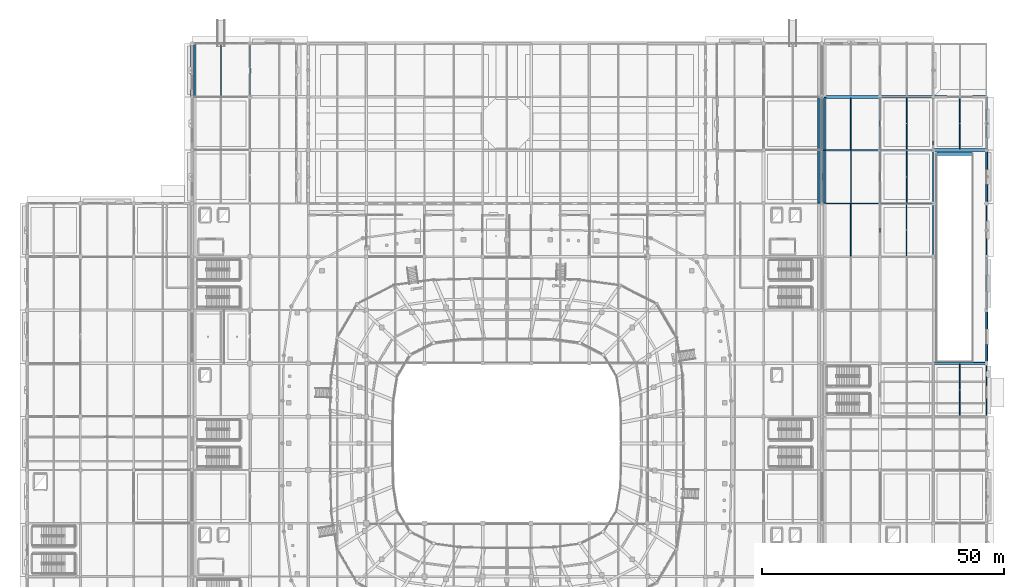
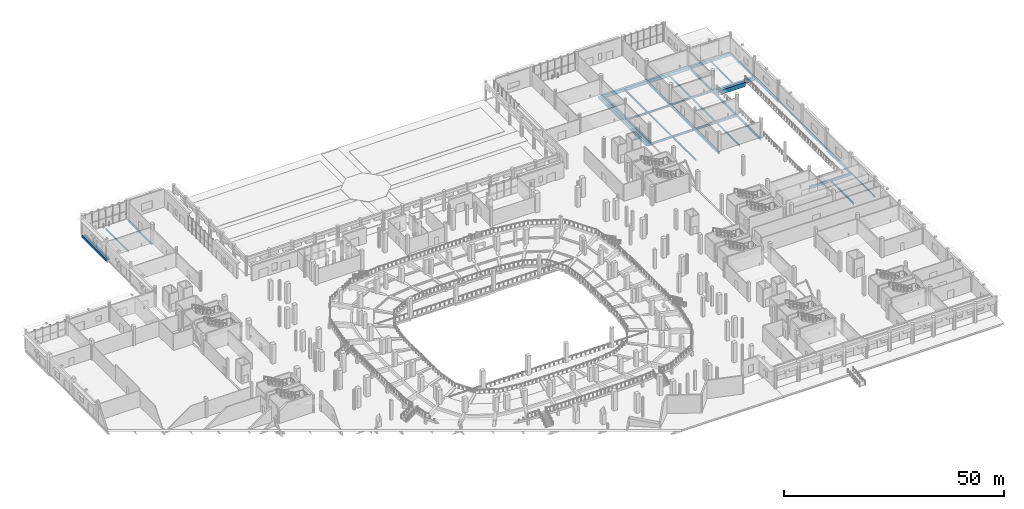
# One storey, part 37 of 120: 40 beams.
"""IFC4 building model written with IfcOpenShell, lengths in metres."""

from ifc_helpers import new_model, si_unit, direction, frame, origin, origin_2d, place, context, subcontext, project, spatial, rectangle, hollow_rectangle, i_section, extrude, material, material_profile, profile_set, type_object, element, save


model = new_model("IFC4")

# Units and contexts
model_context = context("Model", 3, precision=1e-05, world=origin(), true_north=direction((0.0, 1.0)))
body_context = subcontext(model_context, "Body", "Model", "MODEL_VIEW")
ifc_project = project(units=[si_unit("LENGTHUNIT", "METRE"), si_unit("AREAUNIT", "SQUARE_METRE"), si_unit("VOLUMEUNIT", "CUBIC_METRE"), si_unit("PLANEANGLEUNIT", "RADIAN"), si_unit("MASSUNIT", "GRAM", prefix="KILO")], contexts=[model_context])

# Site, building, storey
site_placement = place(None, origin())
site = spatial("IfcSite", under=ifc_project, at=site_placement, CompositionType="ELEMENT")
building_placement = place(site_placement, origin())
building = spatial("IfcBuilding", under=site, at=building_placement, Name="Luwafu Chhajja Arena", CompositionType="ELEMENT")
storey_placement = place(building_placement, origin())
storey = spatial("IfcBuildingStorey", under=building, at=storey_placement, Name="L00", CompositionType="ELEMENT", Elevation=0.0)

# Beams
ifc_material_1 = material(Name="Concrete C35/45", Category="concrete")
ifc_material_profile_1 = material_profile(ifc_material_1, rectangle(XDim=0.35009765625, YDim=0.60009765625, at=origin_2d()), Name="RC 350x600")
ifc_profile_set_1 = profile_set([ifc_material_profile_1], Name="Concrete C35/45")
beam_type_1 = type_object("IfcBeamType", Name="Arcade Tie Beam RC 350x600", PredefinedType="BEAM", material=ifc_profile_set_1)
beam_1_placement = place(storey_placement, frame((176.0, 88.0, -0.64990234375), z_axis=(0.0, 1.0, 0.0), x_axis=(-1.0, 0.0, 0.0)))
element("IfcBeam", 1, at=beam_1_placement, inside=storey, type_object=beam_type_1, Name="L00 Grid Beam 16/J-K", PredefinedType="BEAM", context=body_context, shape_type="SweptSolid", body=[
    extrude(rectangle(XDim=0.35009765625, YDim=0.60009765625, at=origin_2d()), origin(), (0.0, 0.0, 1.0), 11.0),
])
ifc_material_2 = material(Name="Steel S355", Category="steel")
ifc_material_profile_2 = material_profile(ifc_material_2, i_section(OverallWidth=0.165771484375, OverallDepth=0.306640625, WebThickness=0.006591796875, FlangeThickness=0.01171875, at=origin_2d()), Name="UB 305x165x46")
ifc_profile_set_2 = profile_set([ifc_material_profile_2], Name="Steel S355")
beam_type_2 = type_object("IfcBeamType", Name="Concourse Edge Spandrel Beam UB 305x165x46", PredefinedType="SPANDREL", material=ifc_profile_set_2)
for number, where, z_axis, x_axis, name in (
    (2, (198.0, 55.0, -0.50341796875), (0.0, 1.0, 0.0), (-1.0, 0.0, 0.0), "L00 Grid Beam 18/F-G"),
    (3, (198.0, 88.0, -0.50341796875), (0.0, 1.0, 0.0), (-1.0, 0.0, 0.0), "L00 Grid Beam 18/J-K"),
):
    element("IfcBeam", number, at=place(storey_placement, frame(where, z_axis=z_axis, x_axis=x_axis)), inside=storey, type_object=beam_type_2, Name=name, PredefinedType="SPANDREL", context=body_context, shape_type="SweptSolid", body=[
        extrude(i_section(OverallWidth=0.165771484375, OverallDepth=0.306640625, WebThickness=0.006591796875, FlangeThickness=0.01171875, at=origin_2d()), origin(), (0.0, 0.0, 1.0), 11.0),
    ])
ifc_material_profile_3 = material_profile(ifc_material_1, rectangle(XDim=0.60009765625, YDim=0.89990234375, at=origin_2d()), Name="RC 600x900")
ifc_profile_set_3 = profile_set([ifc_material_profile_3], Name="Concrete C35/45")
beam_type_3 = type_object("IfcBeamType", Name="Concourse Primary Girder RC 600x900", PredefinedType="BEAM", material=ifc_profile_set_3)
beam_2_placement = place(storey_placement, frame((164.0, 121.0, -0.800048828125), z_axis=(1.0, 0.0, 0.0), x_axis=(0.0, 1.0, 0.0)))
element("IfcBeam", 4, at=beam_2_placement, inside=storey, type_object=beam_type_3, Name="L00 Grid Beam 15-16/M", PredefinedType="BEAM", context=body_context, shape_type="SweptSolid", body=[
    extrude(rectangle(XDim=0.60009765625, YDim=0.89990234375, at=origin_2d()), origin(), (0.0, 0.0, 1.0), 12.0),
])
beam_3_placement = place(storey_placement, frame((187.0, 110.0, -0.800048828125), z_axis=(1.0, 0.0, 0.0), x_axis=(0.0, 1.0, 0.0)))
element("IfcBeam", 5, at=beam_3_placement, inside=storey, type_object=beam_type_3, Name="L00 Grid Beam 17-18/L", PredefinedType="BEAM", context=body_context, shape_type="SweptSolid", body=[
    extrude(rectangle(XDim=0.60009765625, YDim=0.89990234375, at=origin_2d()), origin(), (0.0, 0.0, 1.0), 11.0),
])
ifc_material_profile_4 = material_profile(ifc_material_1, rectangle(XDim=0.550048828125, YDim=0.949951171875, at=origin_2d()), Name="RC 550x950")
ifc_profile_set_4 = profile_set([ifc_material_profile_4], Name="Concrete C35/45")
beam_type_4 = type_object("IfcBeamType", Name="Concourse Radial Girder RC 550x950", PredefinedType="BEAM", material=ifc_profile_set_4)
beam_4_placement = place(storey_placement, frame((176.0, 121.0, -0.824951171875), z_axis=(1.0, 0.0, 0.0), x_axis=(0.0, 1.0, 0.0)))
element("IfcBeam", 6, at=beam_4_placement, inside=storey, type_object=beam_type_4, Name="L00 Grid Beam 16-17/M", PredefinedType="BEAM", context=body_context, shape_type="SweptSolid", body=[
    extrude(rectangle(XDim=0.550048828125, YDim=0.949951171875, at=origin_2d()), origin(), (0.0, 0.0, 1.0), 11.0),
])
ifc_material_profile_5 = material_profile(ifc_material_2, i_section(OverallWidth=0.15283203125, OverallDepth=0.45458984375, WebThickness=0.008056640625, FlangeThickness=0.01318359375, at=origin_2d()), Name="UB 457x152x60")
ifc_profile_set_5 = profile_set([ifc_material_profile_5], Name="Steel S355")
beam_type_5 = type_object("IfcBeamType", Name="Floor Joist UB 457x152x60", PredefinedType="JOIST", material=ifc_profile_set_5)
beam_5_placement = place(storey_placement, frame((170.0, 99.114501953125, -0.577392578125), z_axis=(0.0, 1.0, 0.0), x_axis=(-1.0, 0.0, 0.0)))
element("IfcBeam", 7, at=beam_5_placement, inside=storey, type_object=beam_type_5, Name="L00 Secondary Joist 15-16/K", PredefinedType="JOIST", context=body_context, shape_type="SweptSolid", body=[
    extrude(i_section(OverallWidth=0.15283203125, OverallDepth=0.45458984375, WebThickness=0.008056640625, FlangeThickness=0.01318359375, at=origin_2d()), origin(), (0.0, 0.0, 1.0), 10.735595703125),
])
beam_6_placement = place(storey_placement, frame((181.5, 88.153564453125, -0.577392578125), z_axis=(0.0, 1.0, 0.0), x_axis=(-1.0, 0.0, 0.0)))
element("IfcBeam", 8, at=beam_6_placement, inside=storey, type_object=beam_type_5, Name="L00 Secondary Joist 16-17/J", PredefinedType="JOIST", context=body_context, shape_type="SweptSolid", body=[
    extrude(i_section(OverallWidth=0.15283203125, OverallDepth=0.45458984375, WebThickness=0.008056640625, FlangeThickness=0.01318359375, at=origin_2d()), origin(), (0.0, 0.0, 1.0), 10.696533203125),
])
ifc_material_profile_6 = material_profile(ifc_material_2, i_section(OverallWidth=0.19140625, OverallDepth=0.4599609375, WebThickness=0.010009765625, FlangeThickness=0.01611328125, at=origin_2d()), Name="UB 457x191x82")
ifc_profile_set_6 = profile_set([ifc_material_profile_6], Name="Steel S355")
beam_type_6 = type_object("IfcBeamType", Name="Floor Joist UB 457x191x82", PredefinedType="JOIST", material=ifc_profile_set_6)
beam_7_placement = place(storey_placement, frame((40.0, 121.27490234375, -0.580078125), z_axis=(0.0, 1.0, 0.0), x_axis=(-1.0, 0.0, 0.0)))
element("IfcBeam", 9, at=beam_7_placement, inside=storey, type_object=beam_type_6, Name="L00 Secondary Joist 4-5/M", PredefinedType="JOIST", context=body_context, shape_type="SweptSolid", body=[
    extrude(i_section(OverallWidth=0.19140625, OverallDepth=0.4599609375, WebThickness=0.010009765625, FlangeThickness=0.01611328125, at=origin_2d()), origin(), (0.0, 0.0, 1.0), 10.5751953125),
])
beam_8_placement = place(storey_placement, frame((170.0, 88.126953125, -0.580078125), z_axis=(0.0, 1.0, 0.0), x_axis=(-1.0, 0.0, 0.0)))
element("IfcBeam", 10, at=beam_8_placement, inside=storey, type_object=beam_type_6, Name="L00 Secondary Joist 15-16/J", PredefinedType="JOIST", context=body_context, shape_type="SweptSolid", body=[
    extrude(i_section(OverallWidth=0.19140625, OverallDepth=0.4599609375, WebThickness=0.010009765625, FlangeThickness=0.01611328125, at=origin_2d()), origin(), (0.0, 0.0, 1.0), 10.758544921875),
])
beam_9_placement = place(storey_placement, frame((192.5, 110.300048828125, -0.580078125), z_axis=(0.0, 1.0, 0.0), x_axis=(-1.0, 0.0, 0.0)))
element("IfcBeam", 11, at=beam_9_placement, inside=storey, type_object=beam_type_6, Name="L00 Secondary Joist 17-18/L", PredefinedType="JOIST", context=body_context, shape_type="SweptSolid", body=[
    extrude(i_section(OverallWidth=0.19140625, OverallDepth=0.4599609375, WebThickness=0.010009765625, FlangeThickness=0.01611328125, at=origin_2d()), origin(), (0.0, 0.0, 1.0), 10.449951171875),
])
ifc_material_profile_7 = material_profile(ifc_material_2, i_section(OverallWidth=0.2099609375, OverallDepth=0.53662109375, WebThickness=0.0107421875, FlangeThickness=0.017333984375, at=origin_2d()), Name="UB 533x210x101")
ifc_profile_set_7 = profile_set([ifc_material_profile_7], Name="Steel S355")
beam_type_7 = type_object("IfcBeamType", Name="Floor Joist UB 533x210x101", PredefinedType="JOIST", material=ifc_profile_set_7)
beam_10_placement = place(storey_placement, frame((170.0, 110.14990234375, -0.618408203125), z_axis=(0.0, 1.0, 0.0), x_axis=(-1.0, 0.0, 0.0)))
element("IfcBeam", 12, at=beam_10_placement, inside=storey, type_object=beam_type_7, Name="L00 Secondary Joist 15-16/L", PredefinedType="JOIST", context=body_context, shape_type="SweptSolid", body=[
    extrude(i_section(OverallWidth=0.2099609375, OverallDepth=0.53662109375, WebThickness=0.0107421875, FlangeThickness=0.017333984375, at=origin_2d()), origin(), (0.0, 0.0, 1.0), 10.550048828125),
])
beam_11_placement = place(storey_placement, frame((181.5, 99.14990234375, -0.618408203125), z_axis=(0.0, 1.0, 0.0), x_axis=(-1.0, 0.0, 0.0)))
element("IfcBeam", 13, at=beam_11_placement, inside=storey, type_object=beam_type_7, Name="L00 Secondary Joist 16-17/K", PredefinedType="JOIST", context=body_context, shape_type="SweptSolid", body=[
    extrude(i_section(OverallWidth=0.2099609375, OverallDepth=0.53662109375, WebThickness=0.0107421875, FlangeThickness=0.017333984375, at=origin_2d()), origin(), (0.0, 0.0, 1.0), 10.7001953125),
])
ifc_material_profile_8 = material_profile(ifc_material_2, i_section(OverallWidth=0.209228515625, OverallDepth=0.533203125, WebThickness=0.010009765625, FlangeThickness=0.015625, at=origin_2d()), Name="UB 533x210x92")
ifc_profile_set_8 = profile_set([ifc_material_profile_8], Name="Steel S355")
beam_type_8 = type_object("IfcBeamType", Name="Floor Joist UB 533x210x92", PredefinedType="JOIST", material=ifc_profile_set_8)
beam_12_placement = place(storey_placement, frame((181.5, 110.14990234375, -0.616455078125), z_axis=(0.0, 1.0, 0.0), x_axis=(-1.0, 0.0, 0.0)))
element("IfcBeam", 14, at=beam_12_placement, inside=storey, type_object=beam_type_8, Name="L00 Secondary Joist 16-17/L", PredefinedType="JOIST", context=body_context, shape_type="SweptSolid", body=[
    extrude(i_section(OverallWidth=0.209228515625, OverallDepth=0.533203125, WebThickness=0.010009765625, FlangeThickness=0.015625, at=origin_2d()), origin(), (0.0, 0.0, 1.0), 10.5751953125),
])
beam_13_placement = place(storey_placement, frame((192.5, 55.25, -0.616455078125), z_axis=(0.0, 1.0, 0.0), x_axis=(-1.0, 0.0, 0.0)))
element("IfcBeam", 15, at=beam_13_placement, inside=storey, type_object=beam_type_8, Name="L00 Secondary Joist 17-18/F", PredefinedType="JOIST", context=body_context, shape_type="SweptSolid", body=[
    extrude(i_section(OverallWidth=0.209228515625, OverallDepth=0.533203125, WebThickness=0.010009765625, FlangeThickness=0.015625, at=origin_2d()), origin(), (0.0, 0.0, 1.0), 10.550048828125),
])
ifc_material_profile_9 = material_profile(ifc_material_1, rectangle(XDim=0.5, YDim=0.800048828125, at=origin_2d()), Name="RC 500x800")
ifc_profile_set_9 = profile_set([ifc_material_profile_9], Name="Concrete C35/45")
beam_type_9 = type_object("IfcBeamType", Name="Hospitality Primary Beam RC 500x800", PredefinedType="BEAM", material=ifc_profile_set_9)
beam_14_placement = place(storey_placement, frame((187.0, 121.0, -0.75), z_axis=(1.0, 0.0, 0.0), x_axis=(0.0, 1.0, 0.0)))
element("IfcBeam", 16, at=beam_14_placement, inside=storey, type_object=beam_type_9, Name="L00 Grid Beam 17-18/M", PredefinedType="BEAM", context=body_context, shape_type="SweptSolid", body=[
    extrude(rectangle(XDim=0.5, YDim=0.800048828125, at=origin_2d()), origin(), (0.0, 0.0, 1.0), 11.0),
])
ifc_material_profile_10 = material_profile(ifc_material_2, hollow_rectangle(XDim=0.300048828125, YDim=0.5, WallThickness=0.02001953125, at=origin_2d()), Name="RHS 500x300x20")
ifc_profile_set_10 = profile_set([ifc_material_profile_10], Name="Steel S355")
beam_type_10 = type_object("IfcBeamType", Name="Pleated Drum Spandrel Beam RHS 500x300", PredefinedType="SPANDREL", material=ifc_profile_set_10)
for number, where, z_axis, x_axis, name in (
    (17, (198.0, 77.0, -0.60009765625), (0.0, 1.0, 0.0), (-1.0, 0.0, 0.0), "L00 Grid Beam 18/H-J"),
    (18, (198.0, 110.0, -0.60009765625), (0.0, 1.0, 0.0), (-1.0, 0.0, 0.0), "L00 Grid Beam 18/L-M"),
):
    element("IfcBeam", number, at=place(storey_placement, frame(where, z_axis=z_axis, x_axis=x_axis)), inside=storey, type_object=beam_type_10, Name=name, PredefinedType="SPANDREL", context=body_context, shape_type="SweptSolid", body=[
        extrude(hollow_rectangle(XDim=0.300048828125, YDim=0.5, WallThickness=0.02001953125, at=origin_2d()), origin(), (0.0, 0.0, 1.0), 11.0),
    ])
ifc_material_profile_11 = material_profile(ifc_material_1, rectangle(XDim=0.39990234375, YDim=0.60009765625, at=origin_2d()), Name="RC 400x600")
ifc_profile_set_11 = profile_set([ifc_material_profile_11], Name="Concrete C35/45")
beam_type_11 = type_object("IfcBeamType", Name="Podium Perimeter Spandrel RC 400x600", PredefinedType="SPANDREL", material=ifc_profile_set_11)
for number, where, z_axis, x_axis, name in (
    (19, (34.0, 121.0, -0.64990234375), (0.0, 1.0, 0.0), (-1.0, 0.0, 0.0), "L00 Grid Beam 4/M-N"),
    (20, (198.0, 66.0, -0.64990234375), (0.0, 1.0, 0.0), (-1.0, 0.0, 0.0), "L00 Grid Beam 18/G-H"),
    (21, (198.0, 99.0, -0.64990234375), (0.0, 1.0, 0.0), (-1.0, 0.0, 0.0), "L00 Grid Beam 18/K-L"),
):
    element("IfcBeam", number, at=place(storey_placement, frame(where, z_axis=z_axis, x_axis=x_axis)), inside=storey, type_object=beam_type_11, Name=name, PredefinedType="SPANDREL", context=body_context, shape_type="SweptSolid", body=[
        extrude(rectangle(XDim=0.39990234375, YDim=0.60009765625, at=origin_2d()), origin(), (0.0, 0.0, 1.0), 11.0),
    ])
for number, where, z_axis, x_axis, name in (
    (22, (34.6201171875, 121.080078125, -0.64990234375), (0.0, 1.0, 0.0), (-1.0, 0.0, 0.0), "L00 Movement Joint MJ1E Seat Girder 11"),
    (23, (163.3798828125, 99.080078125, -0.64990234375), (0.0, 1.0, 0.0), (-1.0, 0.0, 0.0), "L00 Movement Joint MJ2W Seat Girder 09"),
    (24, (163.3798828125, 110.080078125, -0.64990234375), (0.0, 1.0, 0.0), (-1.0, 0.0, 0.0), "L00 Movement Joint MJ2W Seat Girder 10"),
    (25, (164.6201171875, 99.080078125, -0.64990234375), (0.0, 1.0, 0.0), (-1.0, 0.0, 0.0), "L00 Movement Joint MJ2E Seat Girder 09"),
    (26, (164.6201171875, 110.080078125, -0.64990234375), (0.0, 1.0, 0.0), (-1.0, 0.0, 0.0), "L00 Movement Joint MJ2E Seat Girder 10"),
):
    element("IfcBeam", number, at=place(storey_placement, frame(where, z_axis=z_axis, x_axis=x_axis)), inside=storey, type_object=beam_type_11, Name=name, PredefinedType="SPANDREL", context=body_context, shape_type="SweptSolid", body=[
        extrude(rectangle(XDim=0.39990234375, YDim=0.60009765625, at=origin_2d()), origin(), (0.0, 0.0, 1.0), 10.83984375),
    ])
ifc_material_profile_12 = material_profile(ifc_material_2, i_section(OverallWidth=0.300048828125, OverallDepth=0.5, WebThickness=0.014404296875, FlangeThickness=0.028076171875, at=origin_2d()), Name="HEB 500")
ifc_profile_set_12 = profile_set([ifc_material_profile_12], Name="Steel S355")
beam_type_12 = type_object("IfcBeamType", Name="Steel Atrium Tie Girder HEB 500", PredefinedType="BEAM", material=ifc_profile_set_12)
beam_15_placement = place(storey_placement, frame((164.0, 110.0, -0.60009765625), z_axis=(1.0, 0.0, 0.0), x_axis=(0.0, 1.0, 0.0)))
element("IfcBeam", 27, at=beam_15_placement, inside=storey, type_object=beam_type_12, Name="L00 Grid Beam 15-16/L", PredefinedType="BEAM", context=body_context, shape_type="SweptSolid", body=[
    extrude(i_section(OverallWidth=0.300048828125, OverallDepth=0.5, WebThickness=0.014404296875, FlangeThickness=0.028076171875, at=origin_2d()), origin(), (0.0, 0.0, 1.0), 12.0),
])
beam_16_placement = place(storey_placement, frame((187.0, 110.0, -0.60009765625), z_axis=(0.0, 1.0, 0.0), x_axis=(-1.0, 0.0, 0.0)))
element("IfcBeam", 28, at=beam_16_placement, inside=storey, type_object=beam_type_12, Name="L00 Grid Beam 17/L-M", PredefinedType="BEAM", context=body_context, shape_type="SweptSolid", body=[
    extrude(i_section(OverallWidth=0.300048828125, OverallDepth=0.5, WebThickness=0.014404296875, FlangeThickness=0.028076171875, at=origin_2d()), origin(), (0.0, 0.0, 1.0), 11.0),
])
ifc_material_profile_13 = material_profile(ifc_material_2, i_section(OverallWidth=0.253662109375, OverallDepth=0.68359375, WebThickness=0.012451171875, FlangeThickness=0.01904296875, at=origin_2d()), Name="UB 686x254x140")
ifc_profile_set_13 = profile_set([ifc_material_profile_13], Name="Steel S355")
beam_type_13 = type_object("IfcBeamType", Name="Steel Concourse Girder UB 686x254x140", PredefinedType="BEAM", material=ifc_profile_set_13)
beam_17_placement = place(storey_placement, frame((176.0, 99.0, -0.691650390625), z_axis=(0.0, 1.0, 0.0), x_axis=(-1.0, 0.0, 0.0)))
element("IfcBeam", 29, at=beam_17_placement, inside=storey, type_object=beam_type_13, Name="L00 Grid Beam 16/K-L", PredefinedType="BEAM", context=body_context, shape_type="SweptSolid", body=[
    extrude(i_section(OverallWidth=0.253662109375, OverallDepth=0.68359375, WebThickness=0.012451171875, FlangeThickness=0.01904296875, at=origin_2d()), origin(), (0.0, 0.0, 1.0), 11.0),
])
ifc_material_profile_14 = material_profile(ifc_material_2, i_section(OverallWidth=0.300048828125, OverallDepth=0.60009765625, WebThickness=0.015380859375, FlangeThickness=0.030029296875, at=origin_2d()), Name="HEB 600")
ifc_profile_set_14 = profile_set([ifc_material_profile_14], Name="Steel S355")
beam_type_14 = type_object("IfcBeamType", Name="Steel Gallery Girder HEB 600", PredefinedType="BEAM", material=ifc_profile_set_14)
for number, where, z_axis, x_axis, name in (
    (30, (176.0, 99.0, -0.64990234375), (1.0, 0.0, 0.0), (0.0, 1.0, 0.0), "L00 Grid Beam 16-17/K"),
    (31, (187.0, 99.0, -0.64990234375), (0.0, 1.0, 0.0), (-1.0, 0.0, 0.0), "L00 Grid Beam 17/K-L"),
):
    element("IfcBeam", number, at=place(storey_placement, frame(where, z_axis=z_axis, x_axis=x_axis)), inside=storey, type_object=beam_type_14, Name=name, PredefinedType="BEAM", context=body_context, shape_type="SweptSolid", body=[
        extrude(i_section(OverallWidth=0.300048828125, OverallDepth=0.60009765625, WebThickness=0.015380859375, FlangeThickness=0.030029296875, at=origin_2d()), origin(), (0.0, 0.0, 1.0), 11.0),
    ])
ifc_material_profile_15 = material_profile(ifc_material_2, i_section(OverallWidth=0.30712890625, OverallDepth=0.6201171875, WebThickness=0.01416015625, FlangeThickness=0.023681640625, at=origin_2d()), Name="UB 610x305x179")
ifc_profile_set_15 = profile_set([ifc_material_profile_15], Name="Steel S355")
beam_type_15 = type_object("IfcBeamType", Name="Steel Hospitality Girder UB 610x305x179", PredefinedType="BEAM", material=ifc_profile_set_15)
beam_18_placement = place(storey_placement, frame((176.0, 110.0, -0.66015625), z_axis=(0.0, 1.0, 0.0), x_axis=(-1.0, 0.0, 0.0)))
element("IfcBeam", 32, at=beam_18_placement, inside=storey, type_object=beam_type_15, Name="L00 Grid Beam 16/L-M", PredefinedType="BEAM", context=body_context, shape_type="SweptSolid", body=[
    extrude(i_section(OverallWidth=0.30712890625, OverallDepth=0.6201171875, WebThickness=0.01416015625, FlangeThickness=0.023681640625, at=origin_2d()), origin(), (0.0, 0.0, 1.0), 11.0),
])
ifc_material_profile_16 = material_profile(ifc_material_2, i_section(OverallWidth=0.22900390625, OverallDepth=0.6123046875, WebThickness=0.011962890625, FlangeThickness=0.01953125, at=origin_2d()), Name="UB 610x229x125")
ifc_profile_set_16 = profile_set([ifc_material_profile_16], Name="Steel S355")
beam_type_16 = type_object("IfcBeamType", Name="Steel Mezzanine Girder UB 610x229x125", PredefinedType="BEAM", material=ifc_profile_set_16)
beam_19_placement = place(storey_placement, frame((164.0, 99.0, -0.656005859375), z_axis=(1.0, 0.0, 0.0), x_axis=(0.0, 1.0, 0.0)))
element("IfcBeam", 33, at=beam_19_placement, inside=storey, type_object=beam_type_16, Name="L00 Grid Beam 15-16/K", PredefinedType="BEAM", context=body_context, shape_type="SweptSolid", body=[
    extrude(i_section(OverallWidth=0.22900390625, OverallDepth=0.6123046875, WebThickness=0.011962890625, FlangeThickness=0.01953125, at=origin_2d()), origin(), (0.0, 0.0, 1.0), 12.0),
])
beam_20_placement = place(storey_placement, frame((187.0, 88.0, -0.656005859375), z_axis=(0.0, 1.0, 0.0), x_axis=(-1.0, 0.0, 0.0)))
element("IfcBeam", 34, at=beam_20_placement, inside=storey, type_object=beam_type_16, Name="L00 Grid Beam 17/J-K", PredefinedType="BEAM", context=body_context, shape_type="SweptSolid", body=[
    extrude(i_section(OverallWidth=0.22900390625, OverallDepth=0.6123046875, WebThickness=0.011962890625, FlangeThickness=0.01953125, at=origin_2d()), origin(), (0.0, 0.0, 1.0), 11.0),
])
ifc_material_profile_17 = material_profile(ifc_material_2, i_section(OverallWidth=0.300048828125, OverallDepth=0.39990234375, WebThickness=0.013427734375, FlangeThickness=0.02392578125, at=origin_2d()), Name="HEB 400")
ifc_profile_set_17 = profile_set([ifc_material_profile_17], Name="Steel S355")
beam_type_17 = type_object("IfcBeamType", Name="Steel Rigging Grid Beam HEB 400", PredefinedType="BEAM", material=ifc_profile_set_17)
for number, where, z_axis, x_axis, name in (
    (35, (176.0, 110.0, -0.550048828125), (1.0, 0.0, 0.0), (0.0, 1.0, 0.0), "L00 Grid Beam 16-17/L"),
    (36, (46.0, 121.0, -0.550048828125), (0.0, 1.0, 0.0), (-1.0, 0.0, 0.0), "L00 Grid Beam 5/M-N"),
):
    element("IfcBeam", number, at=place(storey_placement, frame(where, z_axis=z_axis, x_axis=x_axis)), inside=storey, type_object=beam_type_17, Name=name, PredefinedType="BEAM", context=body_context, shape_type="SweptSolid", body=[
        extrude(i_section(OverallWidth=0.300048828125, OverallDepth=0.39990234375, WebThickness=0.013427734375, FlangeThickness=0.02392578125, at=origin_2d()), origin(), (0.0, 0.0, 1.0), 11.0),
    ])
ifc_material_3 = material(Name="Concrete C40/50", Category="concrete")
ifc_material_profile_18 = material_profile(ifc_material_3, rectangle(XDim=0.699951171875, YDim=1.199951171875, at=origin_2d()), Name="PC 700x1200")
ifc_profile_set_18 = profile_set([ifc_material_profile_18], Name="Concrete C40/50")
beam_type_18 = type_object("IfcBeamType", Name="Transfer Girder RC 700x1200", PredefinedType="BEAM", material=ifc_profile_set_18)
beam_21_placement = place(storey_placement, frame((187.800048828125, 109.300048828125, -0.89990234375), z_axis=(1.0, 0.0, 0.0), x_axis=(0.0, 1.0, 0.0)))
element("IfcBeam", 37, at=beam_21_placement, inside=storey, type_object=beam_type_18, Name="L00 Ramp R1 Head Transfer Girder", PredefinedType="BEAM", context=body_context, shape_type="SweptSolid", body=[
    extrude(rectangle(XDim=0.699951171875, YDim=1.199951171875, at=origin_2d()), origin(), (0.0, 0.0, 1.0), 7.199951171875),
])
ifc_material_profile_19 = material_profile(ifc_material_1, rectangle(XDim=0.39990234375, YDim=0.699951171875, at=origin_2d()), Name="RC 400x700")
ifc_profile_set_19 = profile_set([ifc_material_profile_19], Name="Concrete C35/45")
beam_type_19 = type_object("IfcBeamType", Name="Wing Frame Beam RC 400x700", PredefinedType="BEAM", material=ifc_profile_set_19)
for number, where, z_axis, x_axis, name in (
    (38, (187.0, 66.0, -0.699951171875), (1.0, 0.0, 0.0), (0.0, 1.0, 0.0), "L00 Grid Beam 17-18/G"),
    (39, (164.0, 110.0, -0.699951171875), (0.0, 1.0, 0.0), (-1.0, 0.0, 0.0), "L00 Grid Beam 15/L-M"),
):
    element("IfcBeam", number, at=place(storey_placement, frame(where, z_axis=z_axis, x_axis=x_axis)), inside=storey, type_object=beam_type_19, Name=name, PredefinedType="BEAM", context=body_context, shape_type="SweptSolid", body=[
        extrude(rectangle(XDim=0.39990234375, YDim=0.699951171875, at=origin_2d()), origin(), (0.0, 0.0, 1.0), 11.0),
    ])
ifc_material_profile_20 = material_profile(ifc_material_1, rectangle(XDim=0.449951171875, YDim=0.75, at=origin_2d()), Name="RC 450x750")
ifc_profile_set_20 = profile_set([ifc_material_profile_20], Name="Concrete C35/45")
beam_type_20 = type_object("IfcBeamType", Name="Wing Primary Beam RC 450x750", PredefinedType="BEAM", material=ifc_profile_set_20)
beam_22_placement = place(storey_placement, frame((164.0, 99.0, -0.72509765625), z_axis=(0.0, 1.0, 0.0), x_axis=(-1.0, 0.0, 0.0)))
element("IfcBeam", 40, at=beam_22_placement, inside=storey, type_object=beam_type_20, Name="L00 Grid Beam 15/K-L", PredefinedType="BEAM", context=body_context, shape_type="SweptSolid", body=[
    extrude(rectangle(XDim=0.449951171875, YDim=0.75, at=origin_2d()), origin(), (0.0, 0.0, 1.0), 11.0),
])

save(model, "model.ifc")
